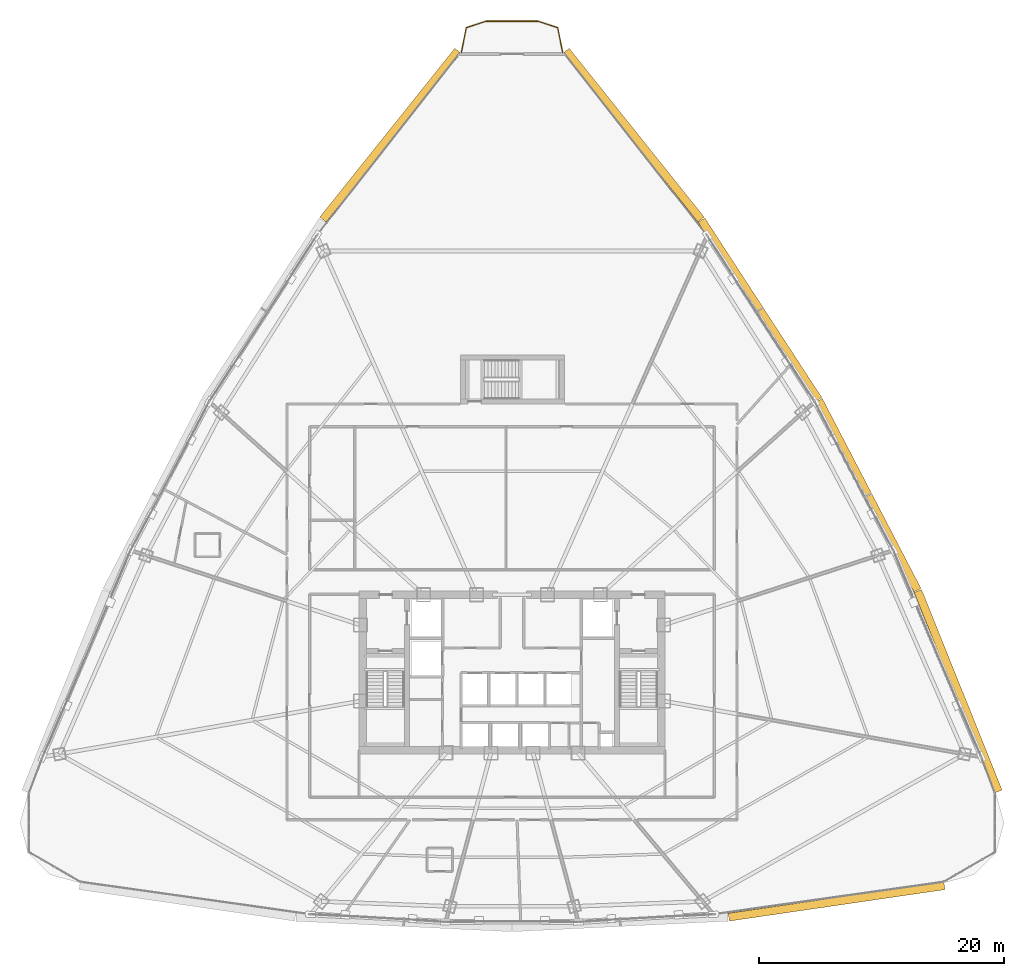
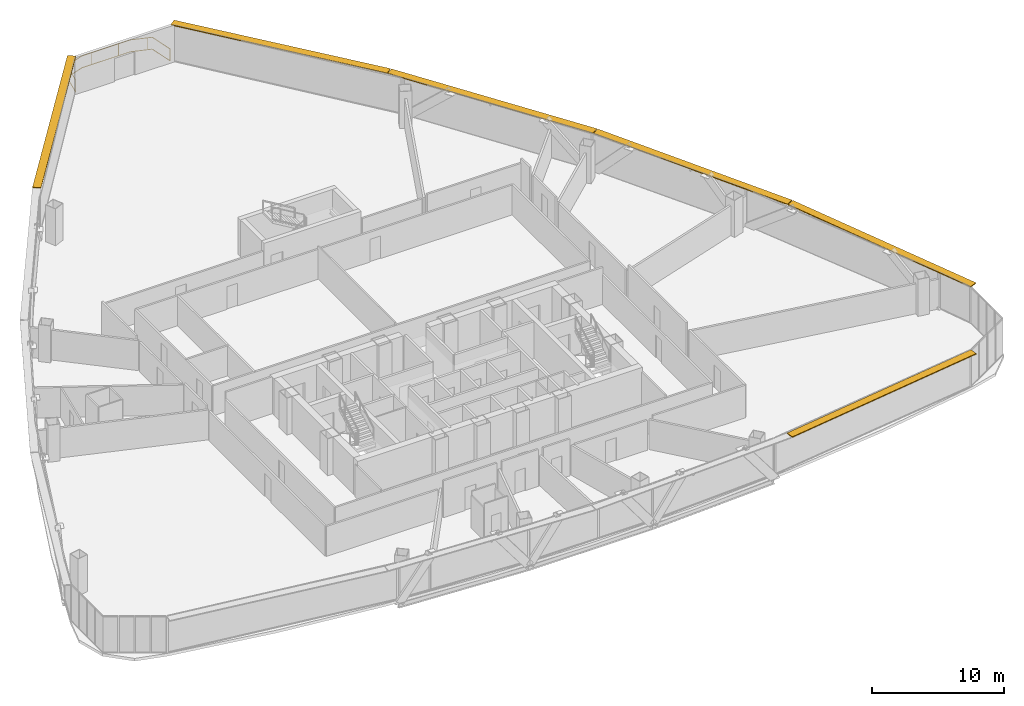
# One storey, part 40 of 40: 6 shading devices, 1 railing.
"""IFC4 building model written with IfcOpenShell, lengths in metres."""

from ifc_helpers import new_model, si_unit, direction, frame, origin, origin_2d, place, context, subcontext, project, spatial, rectangle, extrude, source, transform, mapped, material, layer, layer_set, type_object, element, save


model = new_model("IFC4")

# Units and contexts
model_context = context("Model", 3, precision=1e-05, world=origin(), true_north=direction((0.0, 1.0)))
body_context = subcontext(model_context, "Body", "Model", "MODEL_VIEW")
ifc_project = project(units=[si_unit("LENGTHUNIT", "METRE"), si_unit("AREAUNIT", "SQUARE_METRE"), si_unit("VOLUMEUNIT", "CUBIC_METRE"), si_unit("PLANEANGLEUNIT", "RADIAN"), si_unit("MASSUNIT", "GRAM", prefix="KILO"), si_unit("THERMODYNAMICTEMPERATUREUNIT", "KELVIN"), si_unit("POWERUNIT", "WATT")], contexts=[model_context])

# Site, building, storey
site_placement = place(None, origin())
site = spatial("IfcSite", under=ifc_project, at=site_placement, CompositionType="ELEMENT")
building_placement = place(site_placement, origin())
building = spatial("IfcBuilding", under=site, at=building_placement, Name="Yunzhuo Pagoda Commons", CompositionType="ELEMENT")
storey_placement = place(building_placement, frame((0.0, 0.0, 159.27001953125)))
storey = spatial("IfcBuildingStorey", under=building, at=storey_placement, Name="L40", CompositionType="ELEMENT", Elevation=159.27001953125)

# Railing
ifc_material = material(Name="Anodized aluminium 6063-T6", Category="aluminium")
railing_type = type_object("IfcRailingType", Name="RL-BAL1 Exterior Terrace & Balcony Balustrade 1150", PredefinedType="BALUSTRADE", material=ifc_material)
railing_placement = place(storey_placement, frame((52.140869140625, 84.543212890625, 0.0)))
element("IfcRailing", 1, at=railing_placement, inside=storey, type_object=railing_type, Name="L40 corner balcony balustrade V3", PredefinedType="BALUSTRADE", context=body_context, shape_type="SweptSolid", body=[
    extrude(rectangle(XDim=0.048095703125, YDim=0.048095703125, at=origin_2d()), frame((0.0, 0.0, 1.1259765625), z_axis=(-0.194337253182, 0.980934774603, 0.0), x_axis=(-0.980934774603, -0.194337253182, 0.0)), (0.0, 0.0, 1.0), 2.05908203125),
    extrude(rectangle(XDim=0.048095703125, YDim=0.048095703125, at=origin_2d()), frame((0.0, 0.0, 0.02392578125), z_axis=(-0.194337253182, 0.980934774603, 0.0), x_axis=(-0.980934774603, -0.194337253182, 0.0)), (0.0, 0.0, 1.0), 2.05908203125),
    extrude(rectangle(XDim=0.048095703125, YDim=0.048095703125, at=origin_2d()), frame((-0.400146484375, 2.019775390625, 1.1259765625), z_axis=(-0.951006855199, 0.309169793746, 0.0), x_axis=(-0.309169793746, -0.951006855199, 0.0)), (0.0, 0.0, 1.0), 1.71435546875),
    extrude(rectangle(XDim=0.048095703125, YDim=0.048095703125, at=origin_2d()), frame((-0.400146484375, 2.019775390625, 0.02392578125), z_axis=(-0.951006855199, 0.309169793746, 0.0), x_axis=(-0.309169793746, -0.951006855199, 0.0)), (0.0, 0.0, 1.0), 1.71435546875),
    extrude(rectangle(XDim=0.048095703125, YDim=0.048095703125, at=origin_2d()), frame((-2.030517578125, 2.5498046875, 1.1259765625), z_axis=(-1.0, 0.0, 0.0), x_axis=(0.0, -1.0, 0.0)), (0.0, 0.0, 1.0), 4.220703125),
    extrude(rectangle(XDim=0.048095703125, YDim=0.048095703125, at=origin_2d()), frame((-2.030517578125, 2.5498046875, 0.02392578125), z_axis=(-1.0, 0.0, 0.0), x_axis=(0.0, -1.0, 0.0)), (0.0, 0.0, 1.0), 4.220703125),
    extrude(rectangle(XDim=0.048095703125, YDim=0.048095703125, at=origin_2d()), frame((-6.251220703125, 2.5498046875, 1.1259765625), z_axis=(-0.951006855199, -0.309169793746, 0.0), x_axis=(0.309169793746, -0.951006855199, 0.0)), (0.0, 0.0, 1.0), 1.71435546875),
    extrude(rectangle(XDim=0.048095703125, YDim=0.048095703125, at=origin_2d()), frame((-6.251220703125, 2.5498046875, 0.02392578125), z_axis=(-0.951006855199, -0.309169793746, 0.0), x_axis=(0.309169793746, -0.951006855199, 0.0)), (0.0, 0.0, 1.0), 1.71435546875),
    extrude(rectangle(XDim=0.048095703125, YDim=0.048095703125, at=origin_2d()), frame((-7.881591796875, 2.019775390625, 1.1259765625), z_axis=(-0.194337253182, -0.980934774603, 0.0), x_axis=(0.980934774603, -0.194337253182, 0.0)), (0.0, 0.0, 1.0), 2.05908203125),
    extrude(rectangle(XDim=0.048095703125, YDim=0.048095703125, at=origin_2d()), frame((-7.881591796875, 2.019775390625, 0.02392578125), z_axis=(-0.194337253182, -0.980934774603, 0.0), x_axis=(0.980934774603, -0.194337253182, 0.0)), (0.0, 0.0, 1.0), 2.05908203125),
    extrude(rectangle(XDim=0.0419921875, YDim=0.0419921875, at=origin_2d()), origin(), (0.0, 0.0, 1.0), 1.101806640625),
    extrude(rectangle(XDim=0.0419921875, YDim=0.0419921875, at=origin_2d()), frame((-0.724365234375, 2.125244140625, 0.0)), (0.0, 0.0, 1.0), 1.101806640625),
    extrude(rectangle(XDim=0.0419921875, YDim=0.0419921875, at=origin_2d()), frame((-3.05712890625, 2.5498046875, 0.0)), (0.0, 0.0, 1.0), 1.101806640625),
    extrude(rectangle(XDim=0.0419921875, YDim=0.0419921875, at=origin_2d()), frame((-5.45703125, 2.5498046875, 0.0)), (0.0, 0.0, 1.0), 1.101806640625),
    extrude(rectangle(XDim=0.0419921875, YDim=0.0419921875, at=origin_2d()), frame((-8.28173828125, 0.0, 0.0)), (0.0, 0.0, 1.0), 1.101806640625),
])

# Shading devices
ifc_layer = layer(ifc_material, 0.080078125)
ifc_layer_set = layer_set([ifc_layer], Name="Anodized aluminium 6063-T6")
shading_device_type = type_object("IfcShadingDeviceType", Name="SH-SUN1 Pagoda Horizontal Sunshade Eave 650", PredefinedType="USERDEFINED", material=ifc_layer_set)
shared_shape_1 = source(origin(), body_context, "Body", "SweptSolid", [
    extrude(rectangle(XDim=17.81640625, YDim=0.64990234375, at=origin_2d()), origin(), (0.0, 0.0, 1.0), 0.080078125),
])
shading_device_1_placement = place(storey_placement, frame((74.538330078125, 15.126708984375, 3.33984375), z_axis=(0.0, 0.0, 1.0), x_axis=(0.989510666697, 0.144459823108, 0.0)))
element("IfcShadingDevice", 2, at=shading_device_1_placement, inside=storey, type_object=shading_device_type, Name="L40 horizontal pagoda sunshade eave F1.4", ObjectType="SUNSHADE", PredefinedType="USERDEFINED", context=body_context, shape_type="MappedRepresentation", body=[
    mapped(shared_shape_1, transform((0.0, 0.0, 0.0), scale=1.0)),
])
shared_shape_2 = source(origin(), body_context, "Body", "SweptSolid", [
    extrude(rectangle(XDim=17.673095703125, YDim=0.64990234375, at=origin_2d()), origin(), (0.0, 0.0, 1.0), 0.080078125),
])
for number, where, z_axis, x_axis, name in (
    (3, (84.478271484375, 32.31201171875, 3.33984375), (0.0, 0.0, 1.0), (-0.372987782576, 0.927836253899, 0.0), "L40 horizontal pagoda sunshade eave F2.1"),
    (4, (57.939208984375, 77.77587890625, 3.33984375), (0.0, 0.0, 1.0), (-0.624520471688, 0.781008438138, 0.0), "L40 horizontal pagoda sunshade eave F2.4"),
    (5, (38.060791015625, 77.77587890625, 3.33984375), (0.0, 0.0, 1.0), (-0.624520471688, -0.781008438138, 0.0), "L40 horizontal pagoda sunshade eave F3.1"),
):
    element("IfcShadingDevice", number, at=place(storey_placement, frame(where, z_axis=z_axis, x_axis=x_axis)), inside=storey, type_object=shading_device_type, Name=name, ObjectType="SUNSHADE", PredefinedType="USERDEFINED", context=body_context, shape_type="MappedRepresentation", body=[
        mapped(shared_shape_2, transform((0.0, 0.0, 0.0), scale=1.0)),
    ])
shared_shape_3 = source(origin(), body_context, "Body", "SweptSolid", [
    extrude(rectangle(XDim=17.50537109375, YDim=0.64990234375, at=origin_2d()), origin(), (0.0, 0.0, 1.0), 0.080078125),
])
shading_device_2_placement = place(storey_placement, frame((77.119140625, 48.334716796875, 3.33984375), z_axis=(0.0, 0.0, 1.0), x_axis=(-0.461206683033, 0.88729273384, 0.0)))
element("IfcShadingDevice", 6, at=shading_device_2_placement, inside=storey, type_object=shading_device_type, Name="L40 horizontal pagoda sunshade eave F2.2", ObjectType="SUNSHADE", PredefinedType="USERDEFINED", context=body_context, shape_type="MappedRepresentation", body=[
    mapped(shared_shape_3, transform((0.0, 0.0, 0.0), scale=1.0)),
])
shared_shape_4 = source(origin(), body_context, "Body", "SweptSolid", [
    extrude(rectangle(XDim=17.505615234375, YDim=0.64990234375, at=origin_2d()), origin(), (0.0, 0.0, 1.0), 0.080078125),
])
shading_device_3_placement = place(storey_placement, frame((68.272705078125, 63.489501953125, 3.33984375), z_axis=(0.0, 0.0, 1.0), x_axis=(-0.545838756973, 0.837890238269, 0.0)))
element("IfcShadingDevice", 7, at=shading_device_3_placement, inside=storey, type_object=shading_device_type, Name="L40 horizontal pagoda sunshade eave F2.3", ObjectType="SUNSHADE", PredefinedType="USERDEFINED", context=body_context, shape_type="MappedRepresentation", body=[
    mapped(shared_shape_4, transform((0.0, 0.0, 0.0), scale=1.0)),
])

save(model, "model.ifc")
